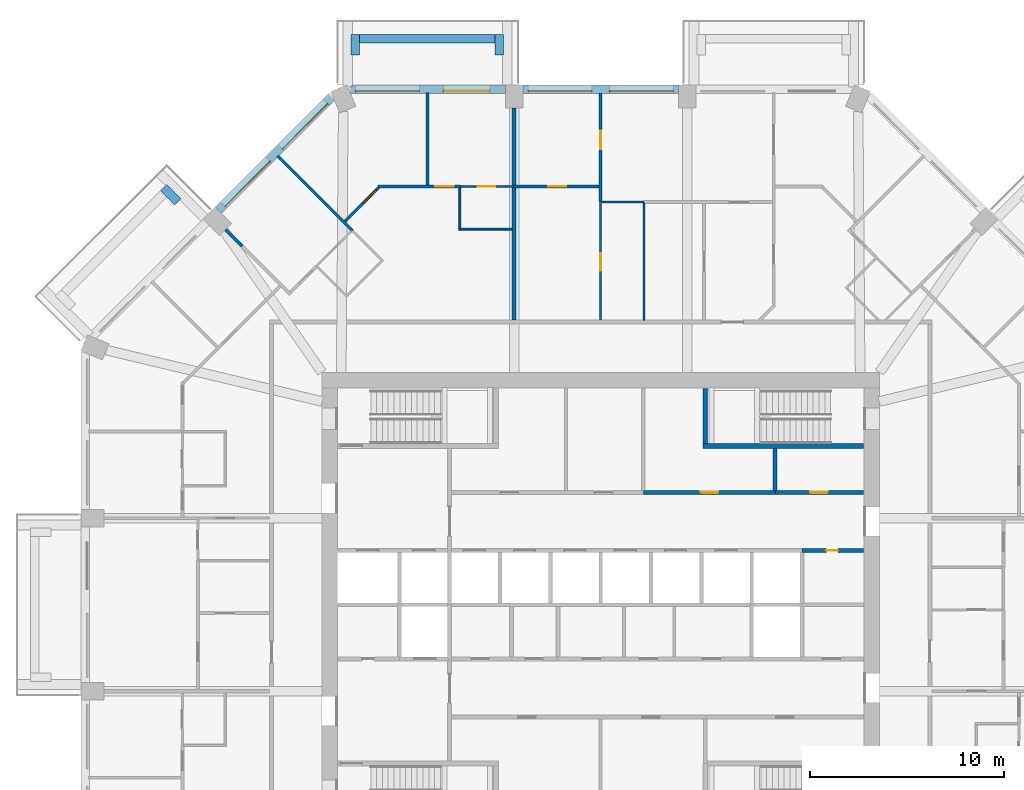
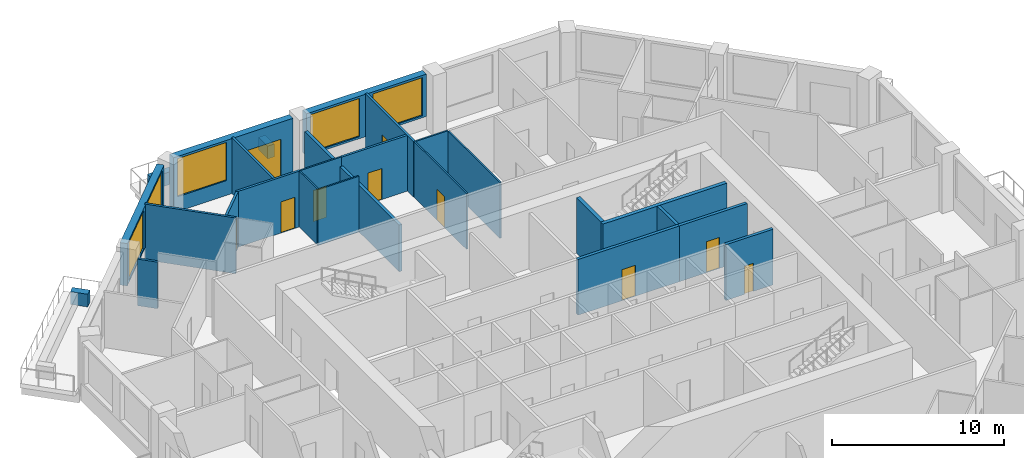
# One storey, part 9 of 13: 27 walls, 10 doors, 5 windows, 15 openings.
"""IFC4 building model written with IfcOpenShell, lengths in metres."""

from ifc_helpers import new_model, si_unit, direction, frame, frame_2d, origin, place, context, subcontext, project, spatial, rectangle, extrude, material, layer, layer_set, type_object, element, fill, save


model = new_model("IFC4")

# Units and contexts
model_context = context("Model", 3, precision=1e-05, world=origin(), true_north=direction((0.0, 1.0)))
body_context = subcontext(model_context, "Body", "Model", "MODEL_VIEW")
ifc_project = project(units=[si_unit("LENGTHUNIT", "METRE"), si_unit("AREAUNIT", "SQUARE_METRE"), si_unit("VOLUMEUNIT", "CUBIC_METRE"), si_unit("PLANEANGLEUNIT", "RADIAN"), si_unit("MASSUNIT", "GRAM", prefix="KILO")], contexts=[model_context])

# Site, building, storey
site_placement = place(None, origin())
site = spatial("IfcSite", under=ifc_project, at=site_placement, CompositionType="ELEMENT")
building_placement = place(site_placement, origin())
building = spatial("IfcBuilding", under=site, at=building_placement, Name="Msitu Wima Residences", CompositionType="ELEMENT")
storey_placement = place(building_placement, frame((0.0, 0.0, 110.699951171875)))
storey = spatial("IfcBuildingStorey", under=building, at=storey_placement, Name="L25", CompositionType="ELEMENT", Elevation=110.699951171875)

# Walls
ifc_material_1 = material(Name="Facing brick")
ifc_layer_1 = layer(ifc_material_1, 0.06494140625, Name="Facing brick")
ifc_material_2 = material(Name="Concrete C40/50", Category="concrete")
ifc_layer_2 = layer(ifc_material_2, 0.156005859375, Name="Concrete C40/50")
ifc_material_3 = material(Name="Waterproofing membrane")
ifc_layer_3 = layer(ifc_material_3, 0.00390625, Name="Waterproofing membrane")
ifc_material_4 = material(Name="Planting soil and planting")
ifc_layer_4 = layer(ifc_material_4, 0.22509765625, Name="Planting soil and planting")
ifc_layer_set_1 = layer_set([ifc_layer_1, ifc_layer_2, ifc_layer_3, ifc_layer_4], Name="Concrete C40/50")
wall_type_1 = type_object("IfcWallType", Name="Balcony planter PLANTER PL450", PredefinedType="USERDEFINED", material=ifc_layer_set_1)
wall_1_placement = place(storey_placement, frame((-5.468505859375, 29.22509765625, 0.0), z_axis=(0.0, 0.0, 1.0), x_axis=(-1.0, 0.0, 0.0)))
element("IfcWall", 1, at=wall_1_placement, inside=storey, type_object=wall_type_1, Name="Balcony planter N2 L25", ObjectType="PLANTER", PredefinedType="USERDEFINED", context=body_context, shape_type="SweptSolid", body=[
    extrude(rectangle(XDim=6.9873046875, YDim=0.449951171875, at=frame_2d((3.49365234375, 0.0))), origin(), (0.0, 0.0, 1.0), 0.900146484375),
])
for number, where, z_axis, x_axis, name in (
    (2, (-5.24365234375, 28.39990234375, 0.0), (0.0, 0.0, 1.0), (0.0, 1.0, 0.0), "Balcony planter N2 L25"),
    (3, (-12.680908203125, 28.39990234375, 0.0), (0.0, 0.0, 1.0), (0.0, 1.0, 0.0), "Balcony planter N2 L25"),
    (4, (-21.829833984375, 20.804443359375, 0.0), (0.0, 0.0, 1.0), (-0.707106781187, 0.707106781187, 0.0), "Balcony planter NW1 L25"),
):
    element("IfcWall", number, at=place(storey_placement, frame(where, z_axis=z_axis, x_axis=x_axis)), inside=storey, type_object=wall_type_1, Name=name, ObjectType="PLANTER", PredefinedType="USERDEFINED", context=body_context, shape_type="SweptSolid", body=[
        extrude(rectangle(XDim=1.050048828125, YDim=0.449951171875, at=frame_2d((0.52490234375, 0.0))), origin(), (0.0, 0.0, 1.0), 0.900146484375),
    ])

# Wall, openings, windows
ifc_material_5 = material(Name="Brick (red buff mix)", Category="masonry")
ifc_layer_5 = layer(ifc_material_5, 0.449951171875)
ifc_layer_set_2 = layer_set([ifc_layer_5], Name="Brick (red buff mix)")
wall_type_2 = type_object("IfcWallType", Name="Brick infill wall BW450", PredefinedType="SOLIDWALL", material=ifc_layer_set_2)
wall_2_placement = place(storey_placement, frame((4.0185546875, 26.625, 0.900146484375), z_axis=(0.0, 0.0, 1.0), x_axis=(-1.0, 0.0, 0.0)))
wall_2 = element("IfcWall", 5, at=wall_2_placement, inside=storey, type_object=wall_type_2, Name="Brick infill wall L25 N1", PredefinedType="SOLIDWALL", context=body_context, shape_type="SweptSolid", body=[
    extrude(rectangle(XDim=8.037109375, YDim=0.449951171875, at=frame_2d((4.0185546875, 0.0))), origin(), (0.0, 0.0, 1.0), 3.0),
])
opening_1_placement = place(wall_2_placement, frame((0.2685546875, 0.0, 0.14990234375)))
opening_1 = element("IfcOpeningElement", 6, at=opening_1_placement, cuts=wall_2, Name="Opening W25-26.007", PredefinedType="OPENING", context=body_context, shape_type="SweptSolid", body=[
    extrude(rectangle(XDim=3.300048828125, YDim=2.699951171875, at=frame_2d((1.64990234375, 1.35009765625))), frame((0.0, 0.23486328125, 0.0), z_axis=(0.0, -1.0, 0.0), x_axis=(1.0, 0.0, 0.0)), (0.0, 0.0, 1.0), 0.469970703125),
])
opening_2_placement = place(wall_2_placement, frame((4.46875, 0.0, 0.14990234375)))
opening_2 = element("IfcOpeningElement", 7, at=opening_2_placement, cuts=wall_2, Name="Opening W25-26.008", PredefinedType="OPENING", context=body_context, shape_type="SweptSolid", body=[
    extrude(rectangle(XDim=3.300048828125, YDim=2.699951171875, at=frame_2d((1.64990234375, 1.35009765625))), frame((0.0, 0.23486328125, 0.0), z_axis=(0.0, -1.0, 0.0), x_axis=(1.0, 0.0, 0.0)), (0.0, 0.0, 1.0), 0.469970703125),
])
ifc_material_6 = material(Name="Anodised aluminium, bronze finish, clear low-emissivity double glazing", Category="aluminium")
window_type = type_object("IfcWindowType", Name="Window W3300x2700", PartitioningType="DOUBLE_PANEL_VERTICAL", PredefinedType="WINDOW", material=ifc_material_6)
window_1_placement = place(opening_1_placement, origin())
window_1 = element("IfcWindow", 8, at=window_1_placement, inside=storey, type_object=window_type, Name="Window L25 N1.1", OverallHeight=2.699951171875, OverallWidth=3.300048828125, PartitioningType="SINGLE_PANEL", PredefinedType="WINDOW", context=body_context, shape_type="SweptSolid", body=[
    extrude(rectangle(XDim=3.300048828125, YDim=2.699951171875, at=frame_2d((1.64990234375, 1.35009765625))), frame((0.0, 0.135009765625, 0.0), z_axis=(0.0, -1.0, 0.0), x_axis=(1.0, 0.0, 0.0)), (0.0, 0.0, 1.0), 0.06005859375),
])
fill(opening_1, window_1)
window_2_placement = place(opening_2_placement, origin())
window_2 = element("IfcWindow", 9, at=window_2_placement, inside=storey, type_object=window_type, Name="Window L25 N1.2", OverallHeight=2.699951171875, OverallWidth=3.300048828125, PartitioningType="SINGLE_PANEL", PredefinedType="WINDOW", context=body_context, shape_type="SweptSolid", body=[
    extrude(rectangle(XDim=3.300048828125, YDim=2.699951171875, at=frame_2d((1.64990234375, 1.35009765625))), frame((0.0, 0.135009765625, 0.0), z_axis=(0.0, -1.0, 0.0), x_axis=(1.0, 0.0, 0.0)), (0.0, 0.0, 1.0), 0.06005859375),
])
fill(opening_2, window_2)

# Wall, openings, door, window
wall_3_placement = place(storey_placement, frame((-4.918701171875, 26.625, 0.0), z_axis=(0.0, 0.0, 1.0), x_axis=(-1.0, 0.0, 0.0)))
wall_3 = element("IfcWall", 10, at=wall_3_placement, inside=storey, type_object=wall_type_2, Name="Brick infill wall L25 N2", PredefinedType="SOLIDWALL", context=body_context, shape_type="SweptSolid", body=[
    extrude(rectangle(XDim=8.0, YDim=0.449951171875, at=frame_2d((4.0, 0.0))), origin(), (0.0, 0.0, 1.0), 3.900146484375),
])
opening_3_placement = place(wall_3_placement, frame((0.800048828125, 0.0, 0.0)))
opening_3 = element("IfcOpeningElement", 11, at=opening_3_placement, cuts=wall_3, Name="Opening D25-26.003", PredefinedType="OPENING", context=body_context, shape_type="SweptSolid", body=[
    extrude(rectangle(XDim=2.39990234375, YDim=2.699951171875, at=frame_2d((1.199951171875, 1.35009765625))), frame((0.0, 0.23486328125, 0.0), z_axis=(0.0, -1.0, 0.0), x_axis=(1.0, 0.0, 0.0)), (0.0, 0.0, 1.0), 0.469970703125),
])
opening_4_placement = place(wall_3_placement, frame((4.4501953125, 0.0, 1.050048828125)))
opening_4 = element("IfcOpeningElement", 12, at=opening_4_placement, cuts=wall_3, Name="Opening W25-26.009", PredefinedType="OPENING", context=body_context, shape_type="SweptSolid", body=[
    extrude(rectangle(XDim=3.300048828125, YDim=2.699951171875, at=frame_2d((1.64990234375, 1.35009765625))), frame((0.0, 0.23486328125, 0.0), z_axis=(0.0, -1.0, 0.0), x_axis=(1.0, 0.0, 0.0)), (0.0, 0.0, 1.0), 0.469970703125),
])
door_type_1 = type_object("IfcDoorType", Name="Balcony door D2400x2700", OperationType="SLIDING_TO_LEFT", PredefinedType="DOOR", material=ifc_material_6)
door_1_placement = place(opening_3_placement, origin())
door_1 = element("IfcDoor", 13, at=door_1_placement, inside=storey, type_object=door_type_1, Name="Balcony door L25 N2", OperationType="SINGLE_SWING_LEFT", OverallHeight=2.699951171875, OverallWidth=2.39990234375, PredefinedType="DOOR", context=body_context, shape_type="SweptSolid", body=[
    extrude(rectangle(XDim=2.39990234375, YDim=2.699951171875, at=frame_2d((1.199951171875, 1.35009765625))), frame((0.0, 0.1298828125, 0.0), z_axis=(0.0, -1.0, 0.0), x_axis=(1.0, 0.0, 0.0)), (0.0, 0.0, 1.0), 0.050048828125),
])
fill(opening_3, door_1)
window_3_placement = place(opening_4_placement, origin())
window_3 = element("IfcWindow", 14, at=window_3_placement, inside=storey, type_object=window_type, Name="Window L25 N2.2", OverallHeight=2.699951171875, OverallWidth=3.300048828125, PartitioningType="SINGLE_PANEL", PredefinedType="WINDOW", context=body_context, shape_type="SweptSolid", body=[
    extrude(rectangle(XDim=3.300048828125, YDim=2.699951171875, at=frame_2d((1.64990234375, 1.35009765625))), frame((0.0, 0.135009765625, 0.0), z_axis=(0.0, -1.0, 0.0), x_axis=(1.0, 0.0, 0.0)), (0.0, 0.0, 1.0), 0.06005859375),
])
fill(opening_4, window_3)

# Wall, openings, windows
wall_4_placement = place(storey_placement, frame((-13.909423828125, 26.214599609375, 0.900146484375), z_axis=(0.0, 0.0, 1.0), x_axis=(-0.707106781187, -0.707106781187, 0.0)))
wall_4 = element("IfcWall", 15, at=wall_4_placement, inside=storey, type_object=wall_type_2, Name="Brick infill wall L25 NW0", PredefinedType="SOLIDWALL", context=body_context, shape_type="SweptSolid", body=[
    extrude(rectangle(XDim=8.251220703125, YDim=0.449951171875, at=frame_2d((4.12548828125, 0.0))), origin(), (0.0, 0.0, 1.0), 3.0),
])
opening_5_placement = place(wall_4_placement, frame((0.37548828125, 0.0, 0.14990234375)))
opening_5 = element("IfcOpeningElement", 16, at=opening_5_placement, cuts=wall_4, Name="Opening W25-26.013", PredefinedType="OPENING", context=body_context, shape_type="SweptSolid", body=[
    extrude(rectangle(XDim=3.300048828125, YDim=2.699951171875, at=frame_2d((1.64990234375, 1.35009765625))), frame((0.0, 0.23486328125, 0.0), z_axis=(0.0, -1.0, 0.0), x_axis=(1.0, 0.0, 0.0)), (0.0, 0.0, 1.0), 0.469970703125),
])
opening_6_placement = place(wall_4_placement, frame((4.57568359375, 0.0, 0.14990234375)))
opening_6 = element("IfcOpeningElement", 17, at=opening_6_placement, cuts=wall_4, Name="Opening W25-26.014", PredefinedType="OPENING", context=body_context, shape_type="SweptSolid", body=[
    extrude(rectangle(XDim=3.300048828125, YDim=2.699951171875, at=frame_2d((1.64990234375, 1.35009765625))), frame((0.0, 0.23486328125, 0.0), z_axis=(0.0, -1.0, 0.0), x_axis=(1.0, 0.0, 0.0)), (0.0, 0.0, 1.0), 0.469970703125),
])
window_4_placement = place(opening_5_placement, origin())
window_4 = element("IfcWindow", 18, at=window_4_placement, inside=storey, type_object=window_type, Name="Window L25 NW0.1", OverallHeight=2.699951171875, OverallWidth=3.300048828125, PartitioningType="SINGLE_PANEL", PredefinedType="WINDOW", context=body_context, shape_type="SweptSolid", body=[
    extrude(rectangle(XDim=3.300048828125, YDim=2.699951171875, at=frame_2d((1.64990234375, 1.35009765625))), frame((0.0, 0.135009765625, 0.0), z_axis=(0.0, -1.0, 0.0), x_axis=(1.0, 0.0, 0.0)), (0.0, 0.0, 1.0), 0.06005859375),
])
fill(opening_5, window_4)
window_5_placement = place(opening_6_placement, origin())
window_5 = element("IfcWindow", 19, at=window_5_placement, inside=storey, type_object=window_type, Name="Window L25 NW0.2", OverallHeight=2.699951171875, OverallWidth=3.300048828125, PartitioningType="SINGLE_PANEL", PredefinedType="WINDOW", context=body_context, shape_type="SweptSolid", body=[
    extrude(rectangle(XDim=3.300048828125, YDim=2.699951171875, at=frame_2d((1.64990234375, 1.35009765625))), frame((0.0, 0.135009765625, 0.0), z_axis=(0.0, -1.0, 0.0), x_axis=(1.0, 0.0, 0.0)), (0.0, 0.0, 1.0), 0.06005859375),
])
fill(opening_6, window_5)

# Wall, opening, door
ifc_material_7 = material(Name="Plaster")
ifc_layer_6 = layer(ifc_material_7, 0.011962890625, Name="Plaster")
ifc_material_8 = material(Name="Concrete blockwork", Category="masonry")
ifc_layer_7 = layer(ifc_material_8, 0.176025390625, Name="Concrete blockwork")
ifc_layer_8 = layer(ifc_material_7, 0.011962890625, Name="Plaster")
ifc_layer_set_3 = layer_set([ifc_layer_6, ifc_layer_7, ifc_layer_8], Name="Concrete blockwork")
wall_type_3 = type_object("IfcWallType", Name="Corridor wall FW200", PredefinedType="PARTITIONING", material=ifc_layer_set_3)
wall_5_placement = place(storey_placement, frame((9.02001953125, 5.800048828125, 0.0), z_axis=(0.0, 0.0, 1.0), x_axis=(1.0, 0.0, 0.0)))
wall_5 = element("IfcWall", 20, at=wall_5_placement, inside=storey, type_object=wall_type_3, Name="Corridor wall", PredefinedType="PARTITIONING", context=body_context, shape_type="SweptSolid", body=[
    extrude(rectangle(XDim=4.550048828125, YDim=0.199951171875, at=frame_2d((2.27490234375, 0.0))), origin(), (0.0, 0.0, 1.0), 3.949951171875),
])
opening_7_placement = place(wall_5_placement, frame((1.800048828125, 0.0, 0.0)))
opening_7 = element("IfcOpeningElement", 21, at=opening_7_placement, cuts=wall_5, Name="Opening D25-26.023", PredefinedType="OPENING", context=body_context, shape_type="SweptSolid", body=[
    extrude(rectangle(XDim=0.89990234375, YDim=2.199951171875, at=frame_2d((0.449951171875, 1.10009765625))), frame((0.0, 0.10986328125, 0.0), z_axis=(0.0, -1.0, 0.0), x_axis=(1.0, 0.0, 0.0)), (0.0, 0.0, 1.0), 0.219970703125),
])
ifc_material_9 = material(Name="Timber flush door", Category="wood")
door_type_2 = type_object("IfcDoorType", Name="Service door D05 900x2200", OperationType="SINGLE_SWING_LEFT", PredefinedType="DOOR", material=ifc_material_9)
door_2_placement = place(opening_7_placement, origin())
door_2 = element("IfcDoor", 22, at=door_2_placement, inside=storey, type_object=door_type_2, Name="Service door", OperationType="SINGLE_SWING_LEFT", OverallHeight=2.199951171875, OverallWidth=0.89990234375, PredefinedType="DOOR", context=body_context, shape_type="SweptSolid", body=[
    extrude(rectangle(XDim=0.89990234375, YDim=2.199951171875, at=frame_2d((0.449951171875, 1.10009765625))), frame((0.0, 0.02490234375, 0.0), z_axis=(0.0, -1.0, 0.0), x_axis=(1.0, 0.0, 0.0)), (0.0, 0.0, 1.0), 0.050048828125),
])
fill(opening_7, door_2)

# Walls
ifc_layer_9 = layer(ifc_material_7, 0.011962890625, Name="Plaster")
ifc_layer_10 = layer(ifc_material_8, 0.1259765625, Name="Concrete blockwork")
ifc_layer_11 = layer(ifc_material_7, 0.011962890625, Name="Plaster")
ifc_layer_set_4 = layer_set([ifc_layer_9, ifc_layer_10, ifc_layer_11], Name="Concrete blockwork")
wall_type_4 = type_object("IfcWallType", Name="Partition PW150", PredefinedType="PARTITIONING", material=ifc_layer_set_4)
wall_6_placement = place(storey_placement, frame((-19.37255859375, 19.37255859375, 0.0), z_axis=(0.0, 0.0, 1.0), x_axis=(0.707106781187, -0.707106781187, 0.0)))
element("IfcWall", 23, at=wall_6_placement, inside=storey, type_object=wall_type_4, Name="Partition", PredefinedType="PARTITIONING", context=body_context, shape_type="SweptSolid", body=[
    extrude(rectangle(XDim=1.209228515625, YDim=0.14990234375, at=frame_2d((0.6044921875, 0.0))), origin(), (0.0, 0.0, 1.0), 3.300048828125),
])
wall_7_placement = place(storey_placement, frame((-16.693359375, 23.1904296875, 0.0), z_axis=(0.0, 0.0, 1.0), x_axis=(0.707106781187, -0.707106781187, 0.0)))
element("IfcWall", 24, at=wall_7_placement, inside=storey, type_object=wall_type_4, Name="Partition", PredefinedType="PARTITIONING", context=body_context, shape_type="SweptSolid", body=[
    extrude(rectangle(XDim=5.475341796875, YDim=0.14990234375, at=frame_2d((2.73779296875, 0.0))), origin(), (0.0, 0.0, 1.0), 3.949951171875),
])

# Wall, opening, door
wall_8_placement = place(storey_placement, frame((-13.207275390625, 19.810302734375, 0.0), z_axis=(0.0, 0.0, 1.0), x_axis=(0.707106781187, 0.707106781187, 0.0)))
wall_8 = element("IfcWall", 25, at=wall_8_placement, inside=storey, type_object=wall_type_4, Name="Partition", PredefinedType="PARTITIONING", context=body_context, shape_type="SweptSolid", body=[
    extrude(rectangle(XDim=2.455810546875, YDim=0.14990234375, at=frame_2d((1.22802734375, 0.0))), origin(), (0.0, 0.0, 1.0), 3.949951171875),
])
opening_8_placement = place(wall_8_placement, frame((1.35009765625, 0.0, 0.0)))
opening_8 = element("IfcOpeningElement", 26, at=opening_8_placement, cuts=wall_8, Name="Opening D25-26.059", PredefinedType="OPENING", context=body_context, shape_type="SweptSolid", body=[
    extrude(rectangle(XDim=0.949951171875, YDim=2.199951171875, at=frame_2d((0.47509765625, 1.10009765625))), frame((0.0, 0.0849609375, 0.0), z_axis=(0.0, -1.0, 0.0), x_axis=(1.0, 0.0, 0.0)), (0.0, 0.0, 1.0), 0.169921875),
])
door_type_3 = type_object("IfcDoorType", Name="Room door D12 950x2200", OperationType="SINGLE_SWING_LEFT", PredefinedType="DOOR", material=ifc_material_9)
door_3_placement = place(opening_8_placement, origin())
door_3 = element("IfcDoor", 27, at=door_3_placement, inside=storey, type_object=door_type_3, Name="Room door", OperationType="SINGLE_SWING_LEFT", OverallHeight=2.199951171875, OverallWidth=0.949951171875, PredefinedType="DOOR", context=body_context, shape_type="SweptSolid", body=[
    extrude(rectangle(XDim=0.949951171875, YDim=2.199951171875, at=frame_2d((0.47509765625, 1.10009765625))), frame((0.0, 0.02490234375, 0.0), z_axis=(0.0, -1.0, 0.0), x_axis=(1.0, 0.0, 0.0)), (0.0, 0.0, 1.0), 0.050048828125),
])
fill(opening_8, door_3)

wall_9_placement = place(storey_placement, frame((-11.49267578125, 21.60009765625, 0.0), z_axis=(0.0, 0.0, 1.0), x_axis=(1.0, 0.0, 0.0)))
wall_9 = element("IfcWall", 28, at=wall_9_placement, inside=storey, type_object=wall_type_4, Name="Partition", PredefinedType="PARTITIONING", context=body_context, shape_type="SweptSolid", body=[
    extrude(rectangle(XDim=4.244140625, YDim=0.14990234375, at=frame_2d((2.1220703125, 0.0))), origin(), (0.0, 0.0, 1.0), 3.949951171875),
])
opening_9_placement = place(wall_9_placement, frame((2.949951171875, 0.0, 0.0)))
opening_9 = element("IfcOpeningElement", 29, at=opening_9_placement, cuts=wall_9, Name="Opening D25-26.055", PredefinedType="OPENING", context=body_context, shape_type="SweptSolid", body=[
    extrude(rectangle(XDim=0.949951171875, YDim=2.199951171875, at=frame_2d((0.47509765625, 1.10009765625))), frame((0.0, 0.0849609375, 0.0), z_axis=(0.0, -1.0, 0.0), x_axis=(1.0, 0.0, 0.0)), (0.0, 0.0, 1.0), 0.169921875),
])
door_4_placement = place(opening_9_placement, origin())
door_4 = element("IfcDoor", 30, at=door_4_placement, inside=storey, type_object=door_type_3, Name="Room door", OperationType="SINGLE_SWING_LEFT", OverallHeight=2.199951171875, OverallWidth=0.949951171875, PredefinedType="DOOR", context=body_context, shape_type="SweptSolid", body=[
    extrude(rectangle(XDim=0.949951171875, YDim=2.199951171875, at=frame_2d((0.47509765625, 1.10009765625))), frame((0.0, 0.02490234375, 0.0), z_axis=(0.0, -1.0, 0.0), x_axis=(1.0, 0.0, 0.0)), (0.0, 0.0, 1.0), 0.050048828125),
])
fill(opening_9, door_4)

# Wall
wall_10_placement = place(storey_placement, frame((-8.937255859375, 21.675048828125, 0.0), z_axis=(0.0, 0.0, 1.0), x_axis=(0.0, 1.0, 0.0)))
element("IfcWall", 31, at=wall_10_placement, inside=storey, type_object=wall_type_4, Name="Partition", PredefinedType="PARTITIONING", context=body_context, shape_type="SweptSolid", body=[
    extrude(rectangle(XDim=4.780029296875, YDim=0.14990234375, at=frame_2d((2.39013671875, 0.0))), origin(), (0.0, 0.0, 1.0), 3.949951171875),
])

# Wall, opening, door
wall_11_placement = place(storey_placement, frame((-4.46875, 21.60009765625, 0.0), z_axis=(0.0, 0.0, 1.0), x_axis=(1.0, 0.0, 0.0)))
wall_11 = element("IfcWall", 32, at=wall_11_placement, inside=storey, type_object=wall_type_4, Name="Partition", PredefinedType="PARTITIONING", context=body_context, shape_type="SweptSolid", body=[
    extrude(rectangle(XDim=4.393798828125, YDim=0.14990234375, at=frame_2d((2.19677734375, 0.0))), origin(), (0.0, 0.0, 1.0), 3.949951171875),
])
opening_10_placement = place(wall_11_placement, frame((1.75, 0.0, 0.0)))
opening_10 = element("IfcOpeningElement", 33, at=opening_10_placement, cuts=wall_11, Name="Opening D25-26.093", PredefinedType="OPENING", context=body_context, shape_type="SweptSolid", body=[
    extrude(rectangle(XDim=0.949951171875, YDim=2.199951171875, at=frame_2d((0.47509765625, 1.10009765625))), frame((0.0, 0.0849609375, 0.0), z_axis=(0.0, -1.0, 0.0), x_axis=(1.0, 0.0, 0.0)), (0.0, 0.0, 1.0), 0.169921875),
])
door_5_placement = place(opening_10_placement, origin())
door_5 = element("IfcDoor", 34, at=door_5_placement, inside=storey, type_object=door_type_3, Name="Room door", OperationType="SINGLE_SWING_LEFT", OverallHeight=2.199951171875, OverallWidth=0.949951171875, PredefinedType="DOOR", context=body_context, shape_type="SweptSolid", body=[
    extrude(rectangle(XDim=0.949951171875, YDim=2.199951171875, at=frame_2d((0.47509765625, 1.10009765625))), frame((0.0, 0.02490234375, 0.0), z_axis=(0.0, -1.0, 0.0), x_axis=(1.0, 0.0, 0.0)), (0.0, 0.0, 1.0), 0.050048828125),
])
fill(opening_10, door_5)

wall_12_placement = place(storey_placement, frame((0.0, 20.820068359375, 0.0), z_axis=(0.0, 0.0, 1.0), x_axis=(0.0, 1.0, 0.0)))
wall_12 = element("IfcWall", 35, at=wall_12_placement, inside=storey, type_object=wall_type_4, Name="Partition", PredefinedType="PARTITIONING", context=body_context, shape_type="SweptSolid", body=[
    extrude(rectangle(XDim=5.60498046875, YDim=0.14990234375, at=frame_2d((2.802490234375, 0.0))), origin(), (0.0, 0.0, 1.0), 3.949951171875),
])
opening_11_placement = place(wall_12_placement, frame((2.699951171875, 0.0, 0.0)))
opening_11 = element("IfcOpeningElement", 36, at=opening_11_placement, cuts=wall_12, Name="Opening D25-26.092", PredefinedType="OPENING", context=body_context, shape_type="SweptSolid", body=[
    extrude(rectangle(XDim=0.949951171875, YDim=2.199951171875, at=frame_2d((0.47509765625, 1.10009765625))), frame((0.0, 0.0849609375, 0.0), z_axis=(0.0, -1.0, 0.0), x_axis=(1.0, 0.0, 0.0)), (0.0, 0.0, 1.0), 0.169921875),
])
door_6_placement = place(opening_11_placement, origin())
door_6 = element("IfcDoor", 37, at=door_6_placement, inside=storey, type_object=door_type_3, Name="Room door", OperationType="SINGLE_SWING_RIGHT", OverallHeight=2.199951171875, OverallWidth=0.949951171875, PredefinedType="DOOR", context=body_context, shape_type="SweptSolid", body=[
    extrude(rectangle(XDim=0.949951171875, YDim=2.199951171875, at=frame_2d((0.47509765625, 1.10009765625))), frame((0.0, 0.02490234375, 0.0), z_axis=(0.0, -1.0, 0.0), x_axis=(1.0, 0.0, 0.0)), (0.0, 0.0, 1.0), 0.050048828125),
])
fill(opening_11, door_6)

# Wall
ifc_layer_12 = layer(ifc_material_7, 0.011962890625, Name="Plaster")
ifc_material_10 = material(Name="Dense concrete blockwork", Category="masonry")
ifc_layer_13 = layer(ifc_material_10, 0.176025390625, Name="Dense concrete blockwork")
ifc_layer_14 = layer(ifc_material_7, 0.011962890625, Name="Plaster")
ifc_layer_set_5 = layer_set([ifc_layer_12, ifc_layer_13, ifc_layer_14], Name="Dense concrete blockwork")
wall_type_5 = type_object("IfcWallType", Name="Party wall PW200", PredefinedType="PARTITIONING", material=ifc_layer_set_5)
wall_13_placement = place(storey_placement, frame((-4.46875, 14.699951171875, 0.0), z_axis=(0.0, 0.0, 1.0), x_axis=(0.0, 1.0, 0.0)))
element("IfcWall", 38, at=wall_13_placement, inside=storey, type_object=wall_type_5, Name="Party wall", PredefinedType="PARTITIONING", context=body_context, shape_type="SweptSolid", body=[
    extrude(rectangle(XDim=10.949951171875, YDim=0.199951171875, at=frame_2d((5.47509765625, 0.0))), origin(), (0.0, 0.0, 1.0), 3.300048828125),
])

# Wall, opening, door
ifc_layer_15 = layer(ifc_material_7, 0.011962890625, Name="Plaster")
ifc_material_11 = material(Name="Reinforced concrete blockwork", Category="masonry")
ifc_layer_16 = layer(ifc_material_11, 0.176025390625, Name="Reinforced concrete blockwork")
ifc_layer_17 = layer(ifc_material_7, 0.011962890625, Name="Plaster")
ifc_layer_set_6 = layer_set([ifc_layer_15, ifc_layer_16, ifc_layer_17], Name="Reinforced concrete blockwork")
wall_type_6 = type_object("IfcWallType", Name="Plant and riser wall PL200", PredefinedType="PARTITIONING", material=ifc_layer_set_6)
wall_14_placement = place(storey_placement, frame((2.219970703125, 5.800048828125, 0.0), z_axis=(0.0, 0.0, 1.0), x_axis=(1.0, 0.0, 0.0)))
wall_14 = element("IfcWall", 39, at=wall_14_placement, inside=storey, type_object=wall_type_6, Name="Plant and riser wall", PredefinedType="PARTITIONING", context=body_context, shape_type="SweptSolid", body=[
    extrude(rectangle(XDim=6.800048828125, YDim=0.199951171875, at=frame_2d((3.39990234375, 0.0))), origin(), (0.0, 0.0, 1.0), 3.949951171875),
])
opening_12_placement = place(wall_14_placement, frame((2.949951171875, 0.0, 0.0)))
opening_12 = element("IfcOpeningElement", 40, at=opening_12_placement, cuts=wall_14, Name="Opening D25-26.022", PredefinedType="OPENING", context=body_context, shape_type="SweptSolid", body=[
    extrude(rectangle(XDim=0.89990234375, YDim=2.199951171875, at=frame_2d((0.449951171875, 1.10009765625))), frame((0.0, 0.10986328125, 0.0), z_axis=(0.0, -1.0, 0.0), x_axis=(1.0, 0.0, 0.0)), (0.0, 0.0, 1.0), 0.219970703125),
])
door_7_placement = place(opening_12_placement, origin())
door_7 = element("IfcDoor", 41, at=door_7_placement, inside=storey, type_object=door_type_2, Name="Service door", OperationType="SINGLE_SWING_RIGHT", OverallHeight=2.199951171875, OverallWidth=0.89990234375, PredefinedType="DOOR", context=body_context, shape_type="SweptSolid", body=[
    extrude(rectangle(XDim=0.89990234375, YDim=2.199951171875, at=frame_2d((0.449951171875, 1.10009765625))), frame((0.0, 0.02490234375, 0.0), z_axis=(0.0, -1.0, 0.0), x_axis=(1.0, 0.0, 0.0)), (0.0, 0.0, 1.0), 0.050048828125),
])
fill(opening_12, door_7)

# Wall
wall_15_placement = place(storey_placement, frame((9.0, 5.89990234375, 0.0), z_axis=(0.0, 0.0, 1.0), x_axis=(0.0, 1.0, 0.0)))
element("IfcWall", 42, at=wall_15_placement, inside=storey, type_object=wall_type_6, Name="Plant and riser wall", PredefinedType="PARTITIONING", context=body_context, shape_type="SweptSolid", body=[
    extrude(rectangle(XDim=2.175048828125, YDim=0.199951171875, at=frame_2d((1.08740234375, 0.0))), origin(), (0.0, 0.0, 1.0), 3.949951171875),
])

# Wall, opening, door
wall_16_placement = place(storey_placement, frame((10.39990234375, 2.800048828125, 0.0), z_axis=(0.0, 0.0, 1.0), x_axis=(1.0, 0.0, 0.0)))
wall_16 = element("IfcWall", 43, at=wall_16_placement, inside=storey, type_object=wall_type_6, Name="Plant and riser wall", PredefinedType="PARTITIONING", context=body_context, shape_type="SweptSolid", body=[
    extrude(rectangle(XDim=3.170166015625, YDim=0.199951171875, at=frame_2d((1.5849609375, 0.0))), origin(), (0.0, 0.0, 1.0), 3.949951171875),
])
opening_13_placement = place(wall_16_placement, frame((1.25, 0.0, 0.0)))
opening_13 = element("IfcOpeningElement", 44, at=opening_13_placement, cuts=wall_16, Name="Opening D25-26.029", PredefinedType="OPENING", context=body_context, shape_type="SweptSolid", body=[
    extrude(rectangle(XDim=0.60009765625, YDim=2.0, at=frame_2d((0.300048828125, 1.0))), frame((0.0, 0.10986328125, 0.0), z_axis=(0.0, -1.0, 0.0), x_axis=(1.0, 0.0, 0.0)), (0.0, 0.0, 1.0), 0.219970703125),
])
ifc_material_12 = material(Name="Steel access door, fire resisting", Category="steel")
door_type_4 = type_object("IfcDoorType", Name="Riser access door D08 600x2000", OperationType="SINGLE_SWING_LEFT", PredefinedType="DOOR", material=ifc_material_12)
door_8_placement = place(opening_13_placement, origin())
door_8 = element("IfcDoor", 45, at=door_8_placement, inside=storey, type_object=door_type_4, Name="Riser access door", OperationType="SINGLE_SWING_RIGHT", OverallHeight=2.0, OverallWidth=0.60009765625, PredefinedType="DOOR", context=body_context, shape_type="SweptSolid", body=[
    extrude(rectangle(XDim=0.60009765625, YDim=2.0, at=frame_2d((0.300048828125, 1.0))), frame((0.0, 0.02490234375, 0.0), z_axis=(0.0, -1.0, 0.0), x_axis=(1.0, 0.0, 0.0)), (0.0, 0.0, 1.0), 0.050048828125),
])
fill(opening_13, door_8)

# Walls
ifc_material_13 = material(Name="Concrete C50/60", Category="concrete")
ifc_layer_18 = layer(ifc_material_13, 0.25)
ifc_layer_set_7 = layer_set([ifc_layer_18], Name="Concrete C50/60")
wall_type_7 = type_object("IfcWallType", Name="Stair enclosure wall SW250", PredefinedType="SHEAR", material=ifc_layer_set_7)
wall_17_placement = place(storey_placement, frame((5.39990234375, 8.324951171875, 0.0), z_axis=(0.0, 0.0, 1.0), x_axis=(0.0, 1.0, 0.0)))
element("IfcWall", 46, at=wall_17_placement, inside=storey, type_object=wall_type_7, Name="Stair enclosure wall", PredefinedType="SHEAR", context=body_context, shape_type="SweptSolid", body=[
    extrude(rectangle(XDim=2.844970703125, YDim=0.25, at=frame_2d((1.42236328125, 0.0))), origin(), (0.0, 0.0, 1.0), 3.949951171875),
])
wall_18_placement = place(storey_placement, frame((5.27490234375, 8.199951171875, 0.0), z_axis=(0.0, 0.0, 1.0), x_axis=(1.0, 0.0, 0.0)))
element("IfcWall", 47, at=wall_18_placement, inside=storey, type_object=wall_type_7, Name="Stair enclosure wall", PredefinedType="SHEAR", context=body_context, shape_type="SweptSolid", body=[
    extrude(rectangle(XDim=8.295166015625, YDim=0.25, at=frame_2d((4.1474609375, 0.0))), origin(), (0.0, 0.0, 1.0), 3.949951171875),
])

# Wall, opening, door
ifc_material_14 = material(Name="Ceramic tiles")
ifc_layer_19 = layer(ifc_material_14, 0.008056640625, Name="Ceramic tiles")
ifc_material_15 = material(Name="Moisture-resistant board")
ifc_layer_20 = layer(ifc_material_15, 0.012451171875, Name="Moisture-resistant board")
ifc_material_16 = material(Name="Light-gauge stud framing with mineral wool")
ifc_layer_21 = layer(ifc_material_16, 0.06689453125, Name="Light-gauge stud framing with mineral wool")
ifc_layer_22 = layer(ifc_material_15, 0.012451171875, Name="Moisture-resistant board")
ifc_layer_set_8 = layer_set([ifc_layer_19, ifc_layer_20, ifc_layer_21, ifc_layer_22], Name="Light-gauge stud framing with mineral wool")
wall_type_8 = type_object("IfcWallType", Name="Wet wall PW100", PredefinedType="PARTITIONING", material=ifc_layer_set_8)
wall_19_placement = place(storey_placement, frame((-7.24853515625, 21.60009765625, 0.0), z_axis=(0.0, 0.0, 1.0), x_axis=(1.0, 0.0, 0.0)))
wall_19 = element("IfcWall", 48, at=wall_19_placement, inside=storey, type_object=wall_type_8, Name="Wet wall", PredefinedType="PARTITIONING", context=body_context, shape_type="SweptSolid", body=[
    extrude(rectangle(XDim=2.77978515625, YDim=0.10009765625, at=frame_2d((1.389892578125, 0.0))), origin(), (0.0, 0.0, 1.0), 3.949951171875),
])
opening_14_placement = place(wall_19_placement, frame((0.89990234375, 0.0, 0.0)))
opening_14 = element("IfcOpeningElement", 49, at=opening_14_placement, cuts=wall_19, Name="Opening D25-26.056", PredefinedType="OPENING", context=body_context, shape_type="SweptSolid", body=[
    extrude(rectangle(XDim=0.89990234375, YDim=2.199951171875, at=frame_2d((0.449951171875, 1.10009765625))), frame((0.0, 0.06005859375, 0.0), z_axis=(0.0, -1.0, 0.0), x_axis=(1.0, 0.0, 0.0)), (0.0, 0.0, 1.0), 0.1201171875),
])
ifc_material_17 = material(Name="Timber flush door, moisture resistant", Category="wood")
door_type_5 = type_object("IfcDoorType", Name="Bathroom door D03 900x2200", OperationType="SINGLE_SWING_LEFT", PredefinedType="DOOR", material=ifc_material_17)
door_9_placement = place(opening_14_placement, origin())
door_9 = element("IfcDoor", 50, at=door_9_placement, inside=storey, type_object=door_type_5, Name="Bathroom door", OperationType="SINGLE_SWING_RIGHT", OverallHeight=2.199951171875, OverallWidth=0.89990234375, PredefinedType="DOOR", context=body_context, shape_type="SweptSolid", body=[
    extrude(rectangle(XDim=0.89990234375, YDim=2.199951171875, at=frame_2d((0.449951171875, 1.10009765625))), frame((0.0, 0.02490234375, 0.0), z_axis=(0.0, -1.0, 0.0), x_axis=(1.0, 0.0, 0.0)), (0.0, 0.0, 1.0), 0.050048828125),
])
fill(opening_14, door_9)

# Walls
wall_20_placement = place(storey_placement, frame((-7.2685546875, 19.449951171875, 0.0), z_axis=(0.0, 0.0, 1.0), x_axis=(0.0, 1.0, 0.0)))
element("IfcWall", 51, at=wall_20_placement, inside=storey, type_object=wall_type_8, Name="Wet wall", PredefinedType="PARTITIONING", context=body_context, shape_type="SweptSolid", body=[
    extrude(rectangle(XDim=2.074951171875, YDim=0.10009765625, at=frame_2d((1.03759765625, 0.0))), origin(), (0.0, 0.0, 1.0), 3.949951171875),
])
wall_21_placement = place(storey_placement, frame((-7.318603515625, 19.39990234375, 0.0), z_axis=(0.0, 0.0, 1.0), x_axis=(1.0, 0.0, 0.0)))
element("IfcWall", 52, at=wall_21_placement, inside=storey, type_object=wall_type_8, Name="Wet wall", PredefinedType="PARTITIONING", context=body_context, shape_type="SweptSolid", body=[
    extrude(rectangle(XDim=2.75, YDim=0.10009765625, at=frame_2d((1.375, 0.0))), origin(), (0.0, 0.0, 1.0), 3.949951171875),
])

# Wall, opening, door
wall_22_placement = place(storey_placement, frame((0.0, 14.699951171875, 0.0), z_axis=(0.0, 0.0, 1.0), x_axis=(0.0, 1.0, 0.0)))
wall_22 = element("IfcWall", 53, at=wall_22_placement, inside=storey, type_object=wall_type_8, Name="Wet wall", PredefinedType="PARTITIONING", context=body_context, shape_type="SweptSolid", body=[
    extrude(rectangle(XDim=6.1201171875, YDim=0.10009765625, at=frame_2d((3.06005859375, 0.0))), origin(), (0.0, 0.0, 1.0), 3.949951171875),
])
opening_15_placement = place(wall_22_placement, frame((2.550048828125, 0.0, 0.0)))
opening_15 = element("IfcOpeningElement", 54, at=opening_15_placement, cuts=wall_22, Name="Opening D25-26.094", PredefinedType="OPENING", context=body_context, shape_type="SweptSolid", body=[
    extrude(rectangle(XDim=0.89990234375, YDim=2.199951171875, at=frame_2d((0.449951171875, 1.10009765625))), frame((0.0, 0.06005859375, 0.0), z_axis=(0.0, -1.0, 0.0), x_axis=(1.0, 0.0, 0.0)), (0.0, 0.0, 1.0), 0.1201171875),
])
door_10_placement = place(opening_15_placement, origin())
door_10 = element("IfcDoor", 55, at=door_10_placement, inside=storey, type_object=door_type_5, Name="Bathroom door", OperationType="SINGLE_SWING_RIGHT", OverallHeight=2.199951171875, OverallWidth=0.89990234375, PredefinedType="DOOR", context=body_context, shape_type="SweptSolid", body=[
    extrude(rectangle(XDim=0.89990234375, YDim=2.199951171875, at=frame_2d((0.449951171875, 1.10009765625))), frame((0.0, 0.02490234375, 0.0), z_axis=(0.0, -1.0, 0.0), x_axis=(1.0, 0.0, 0.0)), (0.0, 0.0, 1.0), 0.050048828125),
])
fill(opening_15, door_10)

# Walls
wall_23_placement = place(storey_placement, frame((0.074951171875, 20.800048828125, 0.0), z_axis=(0.0, 0.0, 1.0), x_axis=(1.0, 0.0, 0.0)))
element("IfcWall", 56, at=wall_23_placement, inside=storey, type_object=wall_type_8, Name="Wet wall", PredefinedType="PARTITIONING", context=body_context, shape_type="SweptSolid", body=[
    extrude(rectangle(XDim=2.142333984375, YDim=0.10009765625, at=frame_2d((1.0712890625, 0.0))), origin(), (0.0, 0.0, 1.0), 3.949951171875),
])
wall_24_placement = place(storey_placement, frame((2.2373046875, 14.699951171875, 0.0), z_axis=(0.0, 0.0, 1.0), x_axis=(0.0, 1.0, 0.0)))
element("IfcWall", 57, at=wall_24_placement, inside=storey, type_object=wall_type_8, Name="Wet wall", PredefinedType="PARTITIONING", context=body_context, shape_type="SweptSolid", body=[
    extrude(rectangle(XDim=6.025146484375, YDim=0.10009765625, at=frame_2d((3.0126953125, 0.0))), origin(), (0.0, 0.0, 1.0), 3.949951171875),
])

save(model, "model.ifc")
